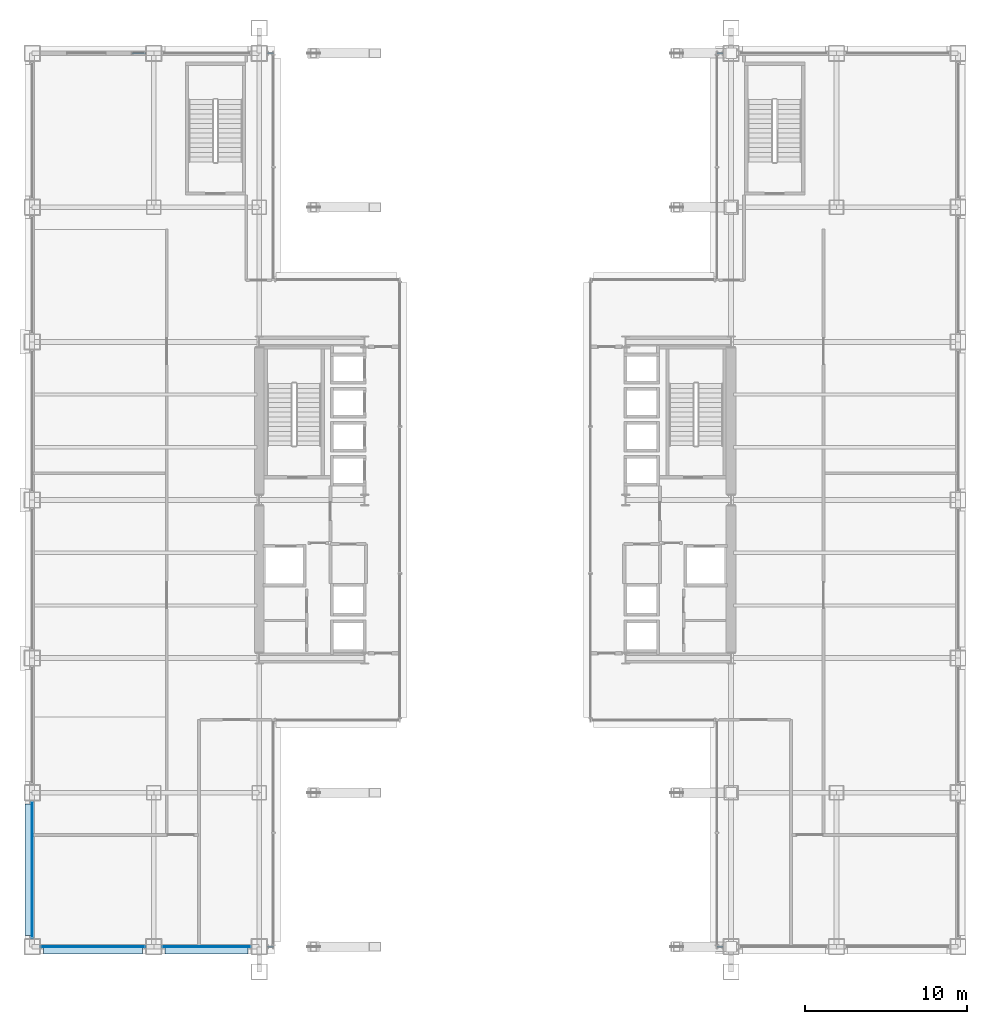
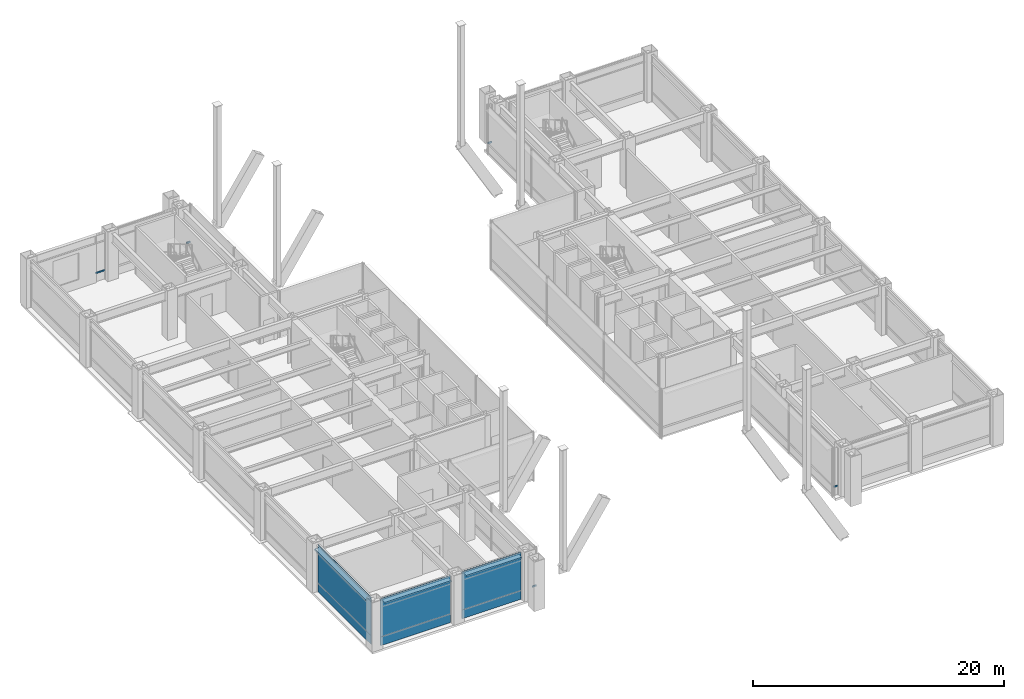
# One storey, part 26 of 40: 9 plates, 5 members, 8 elements without a shape of their own.
"""IFC4 building model written with IfcOpenShell, lengths in metres."""

from ifc_helpers import new_model, si_unit, direction, frame, origin, origin_2d, place, context, subcontext, project, spatial, rectangle, hollow_rectangle, extrude, material, layer, layer_set, material_profile, profile_set, type_object, element, aggregate, save


model = new_model("IFC4")

# Units and contexts
model_context = context("Model", 3, precision=1e-05, world=origin(), true_north=direction((0.0, 1.0)))
body_context = subcontext(model_context, "Body", "Model", "MODEL_VIEW")
ifc_project = project(units=[si_unit("LENGTHUNIT", "METRE"), si_unit("AREAUNIT", "SQUARE_METRE"), si_unit("VOLUMEUNIT", "CUBIC_METRE"), si_unit("PLANEANGLEUNIT", "RADIAN"), si_unit("MASSUNIT", "GRAM", prefix="KILO")], contexts=[model_context])

# Site, building, storey
site_placement = place(None, origin())
site = spatial("IfcSite", under=ifc_project, at=site_placement, CompositionType="ELEMENT")
building_placement = place(site_placement, origin())
building = spatial("IfcBuilding", under=site, at=building_placement, Name="Brelmoor Portico Tower", CompositionType="ELEMENT")
storey_placement = place(building_placement, frame((0.0, 0.0, 4.800048828125)))
storey = spatial("IfcBuildingStorey", under=building, at=storey_placement, Name="L01", CompositionType="ELEMENT", Elevation=4.800048828125)

# Curtain wall, member
ifc_material_1 = material(Name="Anodised Aluminium Alloy 6063-T6", Category="aluminium")
ifc_layer_1 = layer(ifc_material_1, 0.179931640625)
ifc_layer_set_1 = layer_set([ifc_layer_1], Name="Anodised Aluminium Alloy 6063-T6")
curtain_wall_type = type_object("IfcCurtainWallType", Name="CW-PODIUM-ARCH", PredefinedType="NOTDEFINED", material=ifc_layer_set_1)
curtain_wall_1_placement = place(storey_placement, origin())
curtain_wall_1 = element("IfcCurtainWall", 1, at=curtain_wall_1_placement, inside=storey, type_object=curtain_wall_type, Name="L01 Curtain Wall CW-L01-01-3", PredefinedType="NOTDEFINED")
ifc_material_profile = material_profile(ifc_material_1, hollow_rectangle(XDim=0.070068359375, YDim=0.159912109375, WallThickness=0.00390625, at=origin_2d()), Name="ALU TRANSOM 70x160")
ifc_profile_set = profile_set([ifc_material_profile], Name="Anodised Aluminium Alloy 6063-T6")
member_type = type_object("IfcMemberType", Name="MB-CW-TRAN-160", PredefinedType="USERDEFINED", material=ifc_profile_set)
member_1_placement = place(storey_placement, frame((-14.0400390625, -27.550048828125, 0.849853515625), z_axis=(1.0, 0.0, 0.0), x_axis=(0.0, 1.0, 0.0)))
member_1 = element("IfcMember", 2, at=member_1_placement, type_object=member_type, Name="CW-L01-01-3 Transom 1-00", ObjectType="TRANSOM", PredefinedType="USERDEFINED", context=body_context, shape_type="SweptSolid", body=[
    extrude(hollow_rectangle(XDim=0.070068359375, YDim=0.159912109375, WallThickness=0.00390625, at=origin_2d()), origin(), (0.0, 0.0, 1.0), 0.360107421875),
])
aggregate(curtain_wall_1, [member_1])

curtain_wall_2_placement = place(storey_placement, origin())
curtain_wall_2 = element("IfcCurtainWall", 3, at=curtain_wall_2_placement, inside=storey, type_object=curtain_wall_type, Name="L01 Curtain Wall CW-L01-02-1", PredefinedType="NOTDEFINED")
member_2_placement = place(storey_placement, frame((13.679931640625, -27.550048828125, 0.849853515625), z_axis=(1.0, 0.0, 0.0), x_axis=(0.0, 1.0, 0.0)))
member_2 = element("IfcMember", 4, at=member_2_placement, type_object=member_type, Name="CW-L01-02-1 Transom 1-00", ObjectType="TRANSOM", PredefinedType="USERDEFINED", context=body_context, shape_type="SweptSolid", body=[
    extrude(hollow_rectangle(XDim=0.070068359375, YDim=0.159912109375, WallThickness=0.00390625, at=origin_2d()), origin(), (0.0, 0.0, 1.0), 0.360107421875),
])
aggregate(curtain_wall_2, [member_2])

curtain_wall_3_placement = place(storey_placement, origin())
curtain_wall_3 = element("IfcCurtainWall", 5, at=curtain_wall_3_placement, inside=storey, type_object=curtain_wall_type, Name="L01 Curtain Wall CW-L01-03-1", PredefinedType="NOTDEFINED")
member_3_placement = place(storey_placement, frame((-22.39990234375, 27.550048828125, 0.849853515625), z_axis=(1.0, 0.0, 0.0), x_axis=(0.0, 1.0, 0.0)))
member_3 = element("IfcMember", 6, at=member_3_placement, type_object=member_type, Name="CW-L01-03-1 Transom 1-00", ObjectType="TRANSOM", PredefinedType="USERDEFINED", context=body_context, shape_type="SweptSolid", body=[
    extrude(hollow_rectangle(XDim=0.070068359375, YDim=0.159912109375, WallThickness=0.00390625, at=origin_2d()), origin(), (0.0, 0.0, 1.0), 0.83984375),
])
aggregate(curtain_wall_3, [member_3])

curtain_wall_4_placement = place(storey_placement, origin())
curtain_wall_4 = element("IfcCurtainWall", 7, at=curtain_wall_4_placement, inside=storey, type_object=curtain_wall_type, Name="L01 Curtain Wall CW-L01-03-3", PredefinedType="NOTDEFINED")
member_4_placement = place(storey_placement, frame((-14.0400390625, 27.550048828125, 0.849853515625), z_axis=(1.0, 0.0, 0.0), x_axis=(0.0, 1.0, 0.0)))
member_4 = element("IfcMember", 8, at=member_4_placement, type_object=member_type, Name="CW-L01-03-3 Transom 1-00", ObjectType="TRANSOM", PredefinedType="USERDEFINED", context=body_context, shape_type="SweptSolid", body=[
    extrude(hollow_rectangle(XDim=0.070068359375, YDim=0.159912109375, WallThickness=0.00390625, at=origin_2d()), origin(), (0.0, 0.0, 1.0), 0.360107421875),
])
aggregate(curtain_wall_4, [member_4])

curtain_wall_5_placement = place(storey_placement, origin())
curtain_wall_5 = element("IfcCurtainWall", 9, at=curtain_wall_5_placement, inside=storey, type_object=curtain_wall_type, Name="L01 Curtain Wall CW-L01-04-1", PredefinedType="NOTDEFINED")
member_5_placement = place(storey_placement, frame((13.679931640625, 27.550048828125, 0.849853515625), z_axis=(1.0, 0.0, 0.0), x_axis=(0.0, 1.0, 0.0)))
member_5 = element("IfcMember", 10, at=member_5_placement, type_object=member_type, Name="CW-L01-04-1 Transom 1-00", ObjectType="TRANSOM", PredefinedType="USERDEFINED", context=body_context, shape_type="SweptSolid", body=[
    extrude(hollow_rectangle(XDim=0.070068359375, YDim=0.159912109375, WallThickness=0.00390625, at=origin_2d()), origin(), (0.0, 0.0, 1.0), 0.360107421875),
])
aggregate(curtain_wall_5, [member_5])

# Curtain wall, plate
curtain_wall_6_placement = place(storey_placement, origin())
curtain_wall_6 = element("IfcCurtainWall", 11, at=curtain_wall_6_placement, inside=storey, type_object=curtain_wall_type, Name="L01 Curtain Wall CW-L01-01-1", PredefinedType="NOTDEFINED")
ifc_material_2 = material(Name="Double-Silver Low-E Insulated Glazing", Category="glass")
ifc_layer_2 = layer(ifc_material_2, 0.035888671875)
ifc_layer_set_2 = layer_set([ifc_layer_2], Name="Double-Silver Low-E Insulated Glazing")
plate_type_1 = type_object("IfcPlateType", Name="PT-CW-GLASS", PredefinedType="CURTAIN_PANEL", material=ifc_layer_set_2)
plate_1_placement = place(storey_placement, frame((-24.800048828125, -27.550048828125, 0.849853515625), z_axis=(0.0, 0.0, 1.0), x_axis=(1.0, 0.0, 0.0)))
plate_1 = element("IfcPlate", 12, at=plate_1_placement, type_object=plate_type_1, Name="CW-L01-01-1 Vision Glass Panel 00", PredefinedType="CURTAIN_PANEL", context=body_context, shape_type="SweptSolid", body=[
    extrude(rectangle(XDim=6.449951171875, YDim=0.035888671875, at=origin_2d()), origin(), (0.0, 0.0, 1.0), 3.72998046875),
])

curtain_wall_7_placement = place(storey_placement, origin())
curtain_wall_7 = element("IfcCurtainWall", 13, at=curtain_wall_7_placement, inside=storey, type_object=curtain_wall_type, Name="L01 Curtain Wall CW-L01-01-2", PredefinedType="NOTDEFINED")
plate_2_placement = place(storey_placement, frame((-17.800048828125, -27.550048828125, 0.849853515625), z_axis=(0.0, 0.0, 1.0), x_axis=(1.0, 0.0, 0.0)))
plate_2 = element("IfcPlate", 14, at=plate_2_placement, type_object=plate_type_1, Name="CW-L01-01-2 Vision Glass Panel 00", PredefinedType="CURTAIN_PANEL", context=body_context, shape_type="SweptSolid", body=[
    extrude(rectangle(XDim=5.449951171875, YDim=0.035888671875, at=origin_2d()), origin(), (0.0, 0.0, 1.0), 3.72998046875),
])

curtain_wall_8_placement = place(storey_placement, origin())
curtain_wall_8 = element("IfcCurtainWall", 15, at=curtain_wall_8_placement, inside=storey, type_object=curtain_wall_type, Name="L01 Curtain Wall CW-L01-05-1", PredefinedType="NOTDEFINED")
plate_3_placement = place(storey_placement, frame((-28.550048828125, -22.800048828125, 0.849853515625), z_axis=(0.0, 0.0, 1.0), x_axis=(0.0, 1.0, 0.0)))
plate_3 = element("IfcPlate", 16, at=plate_3_placement, type_object=plate_type_1, Name="CW-L01-05-1 Vision Glass Panel 00", PredefinedType="CURTAIN_PANEL", context=body_context, shape_type="SweptSolid", body=[
    extrude(rectangle(XDim=8.449951171875, YDim=0.035888671875, at=origin_2d()), origin(), (0.0, 0.0, 1.0), 3.72998046875),
])

# Plate
ifc_material_3 = material(Name="Pale Champagne Anodised Aluminium Panel", Category="aluminium")
ifc_layer_3 = layer(ifc_material_3, 0.050048828125)
ifc_layer_set_3 = layer_set([ifc_layer_3], Name="Pale Champagne Anodised Aluminium Panel")
plate_type_2 = type_object("IfcPlateType", Name="PT-CW-SPANDREL", PredefinedType="SHEET", material=ifc_layer_set_3)
plate_4_placement = place(storey_placement, frame((-24.800048828125, -27.550048828125, 0.0), z_axis=(0.0, 0.0, 1.0), x_axis=(1.0, 0.0, 0.0)))
plate_4 = element("IfcPlate", 17, at=plate_4_placement, type_object=plate_type_2, Name="CW-L01-01-1 Spandrel Panel 00", PredefinedType="SHEET", context=body_context, shape_type="SweptSolid", body=[
    extrude(rectangle(XDim=6.449951171875, YDim=0.050048828125, at=origin_2d()), origin(), (0.0, 0.0, 1.0), 0.85009765625),
])

aggregate(curtain_wall_6, [plate_4, plate_1])

plate_5_placement = place(storey_placement, frame((-17.800048828125, -27.550048828125, 0.0), z_axis=(0.0, 0.0, 1.0), x_axis=(1.0, 0.0, 0.0)))
plate_5 = element("IfcPlate", 18, at=plate_5_placement, type_object=plate_type_2, Name="CW-L01-01-2 Spandrel Panel 00", PredefinedType="SHEET", context=body_context, shape_type="SweptSolid", body=[
    extrude(rectangle(XDim=5.449951171875, YDim=0.050048828125, at=origin_2d()), origin(), (0.0, 0.0, 1.0), 0.85009765625),
])

aggregate(curtain_wall_7, [plate_5, plate_2])

plate_6_placement = place(storey_placement, frame((-28.550048828125, -22.800048828125, 0.0), z_axis=(0.0, 0.0, 1.0), x_axis=(0.0, 1.0, 0.0)))
plate_6 = element("IfcPlate", 19, at=plate_6_placement, type_object=plate_type_2, Name="CW-L01-05-1 Spandrel Panel 00", PredefinedType="SHEET", context=body_context, shape_type="SweptSolid", body=[
    extrude(rectangle(XDim=8.449951171875, YDim=0.050048828125, at=origin_2d()), origin(), (0.0, 0.0, 1.0), 0.85009765625),
])

aggregate(curtain_wall_8, [plate_6, plate_3])

# Plates
ifc_material_4 = material(Name="Pale Champagne Perforated Aluminium Solar Screen", Category="aluminium")
ifc_layer_4 = layer(ifc_material_4, 0.054931640625)
ifc_layer_set_4 = layer_set([ifc_layer_4], Name="Pale Champagne Perforated Aluminium Solar Screen")
plate_type_3 = type_object("IfcPlateType", Name="PT-SOLAR-LOUVRE", PredefinedType="SHEET", material=ifc_layer_set_4)
plate_7_placement = place(storey_placement, frame((-24.800048828125, -27.760009765625, 4.27001953125), z_axis=(0.0, 0.0, 1.0), x_axis=(1.0, 0.0, 0.0)))
element("IfcPlate", 20, at=plate_7_placement, inside=storey, type_object=plate_type_3, Name="CW-L01-01-1 Caribbean Brise-Soleil Solar Screen", PredefinedType="SHEET", context=body_context, shape_type="SweptSolid", body=[
    extrude(rectangle(XDim=6.1201171875, YDim=0.4599609375, at=origin_2d()), origin(), (0.0, 0.0, 1.0), 0.139892578125),
])
plate_8_placement = place(storey_placement, frame((-17.800048828125, -27.760009765625, 4.27001953125), z_axis=(0.0, 0.0, 1.0), x_axis=(1.0, 0.0, 0.0)))
element("IfcPlate", 21, at=plate_8_placement, inside=storey, type_object=plate_type_3, Name="CW-L01-01-2 Caribbean Brise-Soleil Solar Screen", PredefinedType="SHEET", context=body_context, shape_type="SweptSolid", body=[
    extrude(rectangle(XDim=5.1201171875, YDim=0.4599609375, at=origin_2d()), origin(), (0.0, 0.0, 1.0), 0.139892578125),
])
plate_9_placement = place(storey_placement, frame((-28.760009765625, -22.800048828125, 4.27001953125), z_axis=(0.0, 0.0, 1.0), x_axis=(0.0, 1.0, 0.0)))
element("IfcPlate", 22, at=plate_9_placement, inside=storey, type_object=plate_type_3, Name="CW-L01-05-1 Caribbean Brise-Soleil Solar Screen", PredefinedType="SHEET", context=body_context, shape_type="SweptSolid", body=[
    extrude(rectangle(XDim=8.1201171875, YDim=0.4599609375, at=origin_2d()), origin(), (0.0, 0.0, 1.0), 0.139892578125),
])

save(model, "model.ifc")
